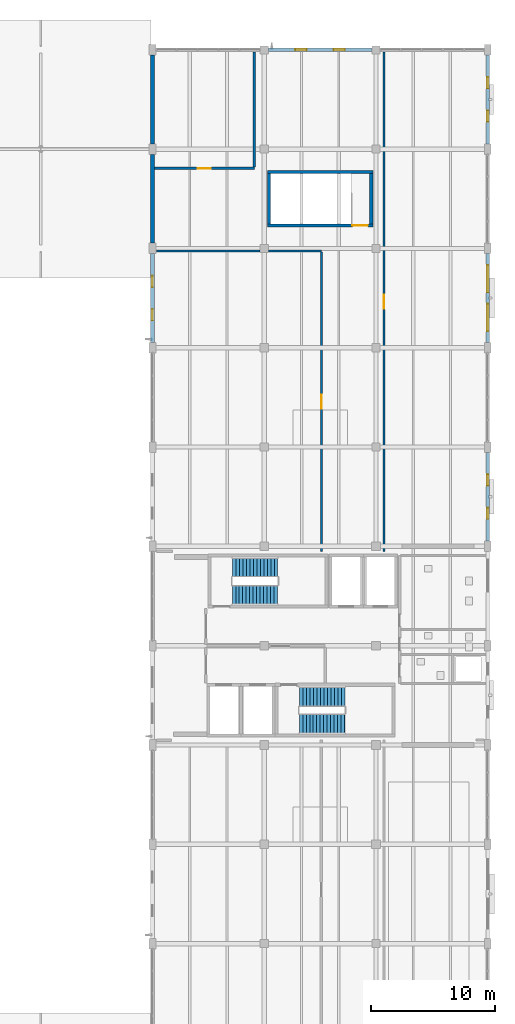
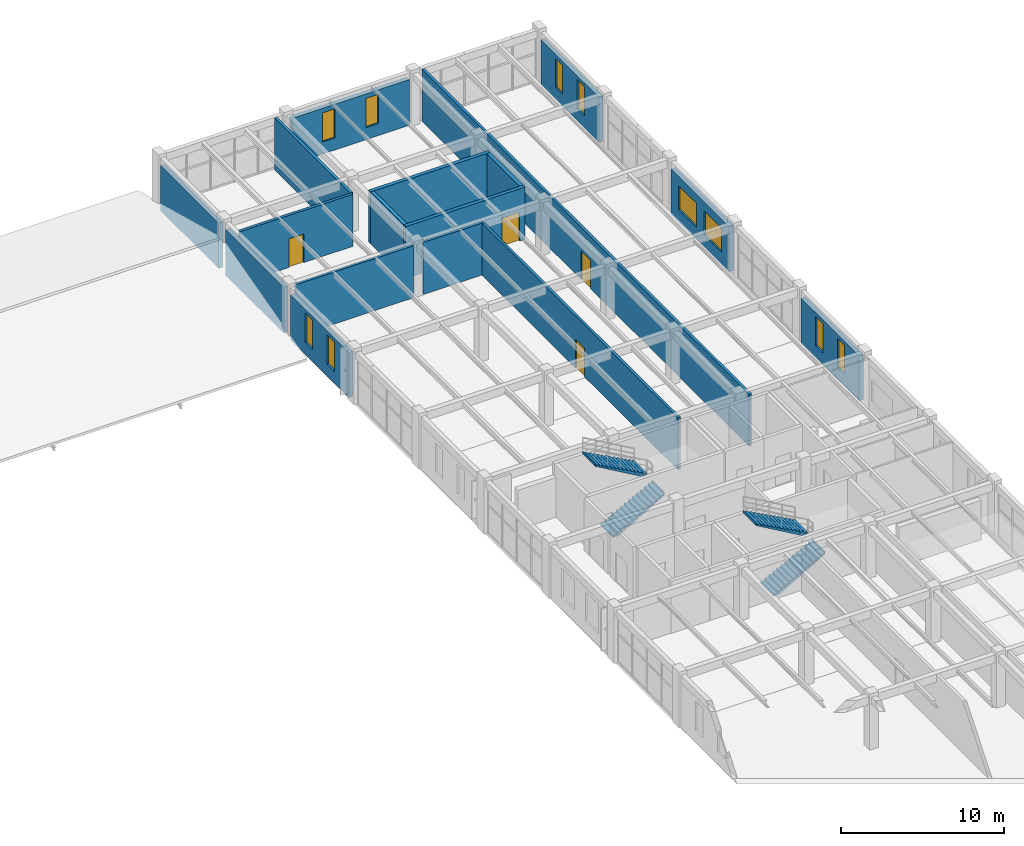
# One storey, part 60 of 71: 17 walls, 10 windows, 4 doors, 4 stair flights, 14 openings, 2 elements without a shape of their own.
"""IFC4 building model written with IfcOpenShell, lengths in metres."""

from ifc_helpers import new_model, si_unit, derived_unit, direction, frame, frame_2d, origin, place, context, subcontext, project, spatial, polyline, rectangle, outline, extrude, material, layer, layer_set, type_object, element, fill, aggregate, save


model = new_model("IFC4")

# Units and contexts
model_context = context("Model", 3, precision=1e-05, world=origin(), true_north=direction((0.0, 1.0)))
body_context = subcontext(model_context, "Body", "Model", "MODEL_VIEW")
ifc_project = project(units=[si_unit("LENGTHUNIT", "METRE"), si_unit("AREAUNIT", "SQUARE_METRE"), si_unit("VOLUMEUNIT", "CUBIC_METRE"), si_unit("PLANEANGLEUNIT", "RADIAN"), si_unit("MASSUNIT", "GRAM", prefix="KILO"), derived_unit("THERMALTRANSMITTANCEUNIT", [(si_unit("MASSUNIT", "GRAM", prefix="KILO"), 1), (si_unit("TIMEUNIT", "SECOND"), -3), (si_unit("THERMODYNAMICTEMPERATUREUNIT", "KELVIN"), -1)])], contexts=[model_context])

# Site, building, storey
site_placement = place(None, origin())
site = spatial("IfcSite", under=ifc_project, at=site_placement, CompositionType="ELEMENT")
building_placement = place(site_placement, origin())
building = spatial("IfcBuilding", under=site, at=building_placement, Name="Zhenchuan Archway Interchange", CompositionType="ELEMENT")
storey_placement = place(building_placement, frame((0.0, 0.0, 18.60009765625)))
storey = spatial("IfcBuildingStorey", under=building, at=storey_placement, Name="L04", CompositionType="ELEMENT", Elevation=18.60009765625)

# Wall, openings, windows
ifc_material_1 = material(Name="Terracotta Masonry", Category="masonry")
ifc_layer_1 = layer(ifc_material_1, 0.300048828125)
ifc_layer_set_1 = layer_set([ifc_layer_1], Name="Terracotta Masonry")
wall_type_1 = type_object("IfcWallType", Name="EW_TERRA_300", PredefinedType="STANDARD", material=ifc_layer_set_1)
wall_1_placement = place(storey_placement, frame((144.0, 80.423095703125, 0.0), z_axis=(0.0, 0.0, 1.0), x_axis=(0.0, 1.0, 0.0)))
wall_1 = element("IfcWall", 1, at=wall_1_placement, inside=storey, type_object=wall_type_1, Name="Exterior wall L04-013", PredefinedType="STANDARD", context=body_context, shape_type="SweptSolid", body=[
    extrude(rectangle(XDim=7.15380859375, YDim=0.300048828125, at=frame_2d((3.576904296875, 0.0))), origin(), (0.0, 0.0, 1.0), 3.389892578125),
])
opening_1_placement = place(wall_1_placement, frame((1.78466796875, 0.0, 0.89990234375)))
opening_1 = element("IfcOpeningElement", 2, at=opening_1_placement, cuts=wall_1, Name="Opening W-12", PredefinedType="OPENING", context=body_context, shape_type="SweptSolid", body=[
    extrude(rectangle(XDim=0.89990234375, YDim=2.199951171875, at=frame_2d((0.449951171875, 1.10009765625))), frame((0.0, 0.162109375, 0.0), z_axis=(0.0, -1.0, 0.0), x_axis=(1.0, 0.0, 0.0)), (0.0, 0.0, 1.0), 0.323974609375),
])
opening_2_placement = place(wall_1_placement, frame((4.46923828125, 0.0, 0.89990234375)))
opening_2 = element("IfcOpeningElement", 3, at=opening_2_placement, cuts=wall_1, Name="Opening W-12", PredefinedType="OPENING", context=body_context, shape_type="SweptSolid", body=[
    extrude(rectangle(XDim=0.89990234375, YDim=2.199951171875, at=frame_2d((0.449951171875, 1.10009765625))), frame((0.0, 0.162109375, 0.0), z_axis=(0.0, -1.0, 0.0), x_axis=(1.0, 0.0, 0.0)), (0.0, 0.0, 1.0), 0.323974609375),
])
ifc_material_2 = material(Name="Double Low-E Insulated Glazing", Category="glass")
window_type_1 = type_object("IfcWindowType", Name="WN_SLOT_900x2200", PartitioningType="SINGLE_PANEL", PredefinedType="WINDOW", material=ifc_material_2)
window_1_placement = place(opening_1_placement, origin())
window_1 = element("IfcWindow", 4, at=window_1_placement, inside=storey, type_object=window_type_1, Name="Window L04-0320", OverallHeight=2.199951171875, OverallWidth=0.89990234375, PartitioningType="SINGLE_PANEL", PredefinedType="WINDOW", context=body_context, shape_type="SweptSolid", body=[
    extrude(rectangle(XDim=0.89990234375, YDim=2.199951171875, at=frame_2d((0.449951171875, 1.10009765625))), frame((0.0, 0.030029296875, 0.0), z_axis=(0.0, -1.0, 0.0), x_axis=(1.0, 0.0, 0.0)), (0.0, 0.0, 1.0), 0.06005859375),
])
fill(opening_1, window_1)
window_2_placement = place(opening_2_placement, origin())
window_2 = element("IfcWindow", 5, at=window_2_placement, inside=storey, type_object=window_type_1, Name="Window L04-0321", OverallHeight=2.199951171875, OverallWidth=0.89990234375, PartitioningType="SINGLE_PANEL", PredefinedType="WINDOW", context=body_context, shape_type="SweptSolid", body=[
    extrude(rectangle(XDim=0.89990234375, YDim=2.199951171875, at=frame_2d((0.449951171875, 1.10009765625))), frame((0.0, 0.030029296875, 0.0), z_axis=(0.0, -1.0, 0.0), x_axis=(1.0, 0.0, 0.0)), (0.0, 0.0, 1.0), 0.06005859375),
])
fill(opening_2, window_2)

# Walls
wall_2_placement = place(storey_placement, frame((144.0, 88.423095703125, 0.0), z_axis=(0.0, 0.0, 1.0), x_axis=(0.0, 1.0, 0.0)))
element("IfcWall", 6, at=wall_2_placement, inside=storey, type_object=wall_type_1, Name="Exterior wall L04-014", PredefinedType="STANDARD", context=body_context, shape_type="SweptSolid", body=[
    extrude(rectangle(XDim=7.15380859375, YDim=0.300048828125, at=frame_2d((3.576904296875, 0.0))), origin(), (0.0, 0.0, 1.0), 3.43994140625),
])
wall_3_placement = place(storey_placement, frame((144.0, 96.423095703125, 0.0), z_axis=(0.0, 0.0, 1.0), x_axis=(0.0, 1.0, 0.0)))
element("IfcWall", 7, at=wall_3_placement, inside=storey, type_object=wall_type_1, Name="Exterior wall L04-015", PredefinedType="STANDARD", context=body_context, shape_type="SweptSolid", body=[
    extrude(rectangle(XDim=7.15380859375, YDim=0.300048828125, at=frame_2d((3.576904296875, 0.0))), origin(), (0.0, 0.0, 1.0), 3.389892578125),
])

# Wall, openings, windows
wall_4_placement = place(storey_placement, frame((153.322998046875, 104.0, 0.0), z_axis=(0.0, 0.0, 1.0), x_axis=(1.0, 0.0, 0.0)))
wall_4 = element("IfcWall", 8, at=wall_4_placement, inside=storey, type_object=wall_type_1, Name="Exterior wall L04-017", PredefinedType="STANDARD", context=body_context, shape_type="SweptSolid", body=[
    extrude(rectangle(XDim=8.35400390625, YDim=0.300048828125, at=frame_2d((4.177001953125, 0.0))), origin(), (0.0, 0.0, 1.0), 3.43994140625),
])
opening_3_placement = place(wall_4_placement, frame((2.184814453125, 0.0, 0.89990234375)))
opening_3 = element("IfcOpeningElement", 9, at=opening_3_placement, cuts=wall_4, Name="Opening W-12", PredefinedType="OPENING", context=body_context, shape_type="SweptSolid", body=[
    extrude(rectangle(XDim=0.89990234375, YDim=2.199951171875, at=frame_2d((0.449951171875, 1.10009765625))), frame((0.0, 0.162109375, 0.0), z_axis=(0.0, -1.0, 0.0), x_axis=(1.0, 0.0, 0.0)), (0.0, 0.0, 1.0), 0.323974609375),
])
opening_4_placement = place(wall_4_placement, frame((5.269287109375, 0.0, 0.89990234375)))
opening_4 = element("IfcOpeningElement", 10, at=opening_4_placement, cuts=wall_4, Name="Opening W-12", PredefinedType="OPENING", context=body_context, shape_type="SweptSolid", body=[
    extrude(rectangle(XDim=0.89990234375, YDim=2.199951171875, at=frame_2d((0.449951171875, 1.10009765625))), frame((0.0, 0.162109375, 0.0), z_axis=(0.0, -1.0, 0.0), x_axis=(1.0, 0.0, 0.0)), (0.0, 0.0, 1.0), 0.323974609375),
])
window_3_placement = place(opening_3_placement, origin())
window_3 = element("IfcWindow", 11, at=window_3_placement, inside=storey, type_object=window_type_1, Name="Window L04-0322", OverallHeight=2.199951171875, OverallWidth=0.89990234375, PartitioningType="SINGLE_PANEL", PredefinedType="WINDOW", context=body_context, shape_type="SweptSolid", body=[
    extrude(rectangle(XDim=0.89990234375, YDim=2.199951171875, at=frame_2d((0.449951171875, 1.10009765625))), frame((0.0, 0.030029296875, 0.0), z_axis=(0.0, -1.0, 0.0), x_axis=(1.0, 0.0, 0.0)), (0.0, 0.0, 1.0), 0.06005859375),
])
fill(opening_3, window_3)
window_4_placement = place(opening_4_placement, origin())
window_4 = element("IfcWindow", 12, at=window_4_placement, inside=storey, type_object=window_type_1, Name="Window L04-0323", OverallHeight=2.199951171875, OverallWidth=0.89990234375, PartitioningType="SINGLE_PANEL", PredefinedType="WINDOW", context=body_context, shape_type="SweptSolid", body=[
    extrude(rectangle(XDim=0.89990234375, YDim=2.199951171875, at=frame_2d((0.449951171875, 1.10009765625))), frame((0.0, 0.030029296875, 0.0), z_axis=(0.0, -1.0, 0.0), x_axis=(1.0, 0.0, 0.0)), (0.0, 0.0, 1.0), 0.06005859375),
])
fill(opening_4, window_4)

wall_5_placement = place(storey_placement, frame((171.0, 103.576904296875, 0.0), z_axis=(0.0, 0.0, 1.0), x_axis=(0.0, -1.0, 0.0)))
wall_5 = element("IfcWall", 13, at=wall_5_placement, inside=storey, type_object=wall_type_1, Name="Exterior wall L04-019", PredefinedType="STANDARD", context=body_context, shape_type="SweptSolid", body=[
    extrude(rectangle(XDim=7.15380859375, YDim=0.300048828125, at=frame_2d((3.576904296875, 0.0))), origin(), (0.0, 0.0, 1.0), 3.389892578125),
])
opening_5_placement = place(wall_5_placement, frame((1.78466796875, 0.0, 0.89990234375)))
opening_5 = element("IfcOpeningElement", 14, at=opening_5_placement, cuts=wall_5, Name="Opening W-12", PredefinedType="OPENING", context=body_context, shape_type="SweptSolid", body=[
    extrude(rectangle(XDim=0.89990234375, YDim=2.199951171875, at=frame_2d((0.449951171875, 1.10009765625))), frame((0.0, 0.162109375, 0.0), z_axis=(0.0, -1.0, 0.0), x_axis=(1.0, 0.0, 0.0)), (0.0, 0.0, 1.0), 0.323974609375),
])
opening_6_placement = place(wall_5_placement, frame((4.46923828125, 0.0, 0.89990234375)))
opening_6 = element("IfcOpeningElement", 15, at=opening_6_placement, cuts=wall_5, Name="Opening W-12", PredefinedType="OPENING", context=body_context, shape_type="SweptSolid", body=[
    extrude(rectangle(XDim=0.89990234375, YDim=2.199951171875, at=frame_2d((0.449951171875, 1.10009765625))), frame((0.0, 0.162109375, 0.0), z_axis=(0.0, -1.0, 0.0), x_axis=(1.0, 0.0, 0.0)), (0.0, 0.0, 1.0), 0.323974609375),
])
window_5_placement = place(opening_5_placement, origin())
window_5 = element("IfcWindow", 16, at=window_5_placement, inside=storey, type_object=window_type_1, Name="Window L04-0324", OverallHeight=2.199951171875, OverallWidth=0.89990234375, PartitioningType="SINGLE_PANEL", PredefinedType="WINDOW", context=body_context, shape_type="SweptSolid", body=[
    extrude(rectangle(XDim=0.89990234375, YDim=2.199951171875, at=frame_2d((0.449951171875, 1.10009765625))), frame((0.0, 0.030029296875, 0.0), z_axis=(0.0, -1.0, 0.0), x_axis=(1.0, 0.0, 0.0)), (0.0, 0.0, 1.0), 0.06005859375),
])
fill(opening_5, window_5)
window_6_placement = place(opening_6_placement, origin())
window_6 = element("IfcWindow", 17, at=window_6_placement, inside=storey, type_object=window_type_1, Name="Window L04-0325", OverallHeight=2.199951171875, OverallWidth=0.89990234375, PartitioningType="SINGLE_PANEL", PredefinedType="WINDOW", context=body_context, shape_type="SweptSolid", body=[
    extrude(rectangle(XDim=0.89990234375, YDim=2.199951171875, at=frame_2d((0.449951171875, 1.10009765625))), frame((0.0, 0.030029296875, 0.0), z_axis=(0.0, -1.0, 0.0), x_axis=(1.0, 0.0, 0.0)), (0.0, 0.0, 1.0), 0.06005859375),
])
fill(opening_6, window_6)

wall_6_placement = place(storey_placement, frame((171.0, 87.576904296875, 0.0), z_axis=(0.0, 0.0, 1.0), x_axis=(0.0, -1.0, 0.0)))
wall_6 = element("IfcWall", 18, at=wall_6_placement, inside=storey, type_object=wall_type_1, Name="Exterior wall L04-021", PredefinedType="STANDARD", context=body_context, shape_type="SweptSolid", body=[
    extrude(rectangle(XDim=7.15380859375, YDim=0.300048828125, at=frame_2d((3.576904296875, 0.0))), origin(), (0.0, 0.0, 1.0), 3.389892578125),
])
opening_7_placement = place(wall_6_placement, frame((0.91796875, 0.0, 0.89990234375)))
opening_7 = element("IfcOpeningElement", 19, at=opening_7_placement, cuts=wall_6, Name="Opening W-08", PredefinedType="OPENING", context=body_context, shape_type="SweptSolid", body=[
    extrude(rectangle(XDim=2.199951171875, YDim=1.800048828125, at=frame_2d((1.10009765625, 0.89990234375))), frame((0.0, 0.162109375, 0.0), z_axis=(0.0, -1.0, 0.0), x_axis=(1.0, 0.0, 0.0)), (0.0, 0.0, 1.0), 0.323974609375),
])
opening_8_placement = place(wall_6_placement, frame((4.035888671875, 0.0, 0.89990234375)))
opening_8 = element("IfcOpeningElement", 20, at=opening_8_placement, cuts=wall_6, Name="Opening W-08", PredefinedType="OPENING", context=body_context, shape_type="SweptSolid", body=[
    extrude(rectangle(XDim=2.199951171875, YDim=1.800048828125, at=frame_2d((1.10009765625, 0.89990234375))), frame((0.0, 0.162109375, 0.0), z_axis=(0.0, -1.0, 0.0), x_axis=(1.0, 0.0, 0.0)), (0.0, 0.0, 1.0), 0.323974609375),
])
window_type_2 = type_object("IfcWindowType", Name="WN_MOD_2200x1800", PartitioningType="SINGLE_PANEL", PredefinedType="WINDOW", material=ifc_material_2)
window_7_placement = place(opening_7_placement, origin())
window_7 = element("IfcWindow", 21, at=window_7_placement, inside=storey, type_object=window_type_2, Name="Window L04-0326", OverallHeight=1.800048828125, OverallWidth=2.199951171875, PartitioningType="SINGLE_PANEL", PredefinedType="WINDOW", context=body_context, shape_type="SweptSolid", body=[
    extrude(rectangle(XDim=2.199951171875, YDim=1.800048828125, at=frame_2d((1.10009765625, 0.89990234375))), frame((0.0, 0.030029296875, 0.0), z_axis=(0.0, -1.0, 0.0), x_axis=(1.0, 0.0, 0.0)), (0.0, 0.0, 1.0), 0.06005859375),
])
fill(opening_7, window_7)
window_8_placement = place(opening_8_placement, origin())
window_8 = element("IfcWindow", 22, at=window_8_placement, inside=storey, type_object=window_type_2, Name="Window L04-0327", OverallHeight=1.800048828125, OverallWidth=2.199951171875, PartitioningType="SINGLE_PANEL", PredefinedType="WINDOW", context=body_context, shape_type="SweptSolid", body=[
    extrude(rectangle(XDim=2.199951171875, YDim=1.800048828125, at=frame_2d((1.10009765625, 0.89990234375))), frame((0.0, 0.030029296875, 0.0), z_axis=(0.0, -1.0, 0.0), x_axis=(1.0, 0.0, 0.0)), (0.0, 0.0, 1.0), 0.06005859375),
])
fill(opening_8, window_8)

wall_7_placement = place(storey_placement, frame((171.0, 71.576904296875, 0.0), z_axis=(0.0, 0.0, 1.0), x_axis=(0.0, -1.0, 0.0)))
wall_7 = element("IfcWall", 23, at=wall_7_placement, inside=storey, type_object=wall_type_1, Name="Exterior wall L04-023", PredefinedType="STANDARD", context=body_context, shape_type="SweptSolid", body=[
    extrude(rectangle(XDim=7.15380859375, YDim=0.300048828125, at=frame_2d((3.576904296875, 0.0))), origin(), (0.0, 0.0, 1.0), 3.389892578125),
])
opening_9_placement = place(wall_7_placement, frame((1.78466796875, 0.0, 0.89990234375)))
opening_9 = element("IfcOpeningElement", 24, at=opening_9_placement, cuts=wall_7, Name="Opening W-12", PredefinedType="OPENING", context=body_context, shape_type="SweptSolid", body=[
    extrude(rectangle(XDim=0.89990234375, YDim=2.199951171875, at=frame_2d((0.449951171875, 1.10009765625))), frame((0.0, 0.162109375, 0.0), z_axis=(0.0, -1.0, 0.0), x_axis=(1.0, 0.0, 0.0)), (0.0, 0.0, 1.0), 0.323974609375),
])
opening_10_placement = place(wall_7_placement, frame((4.46923828125, 0.0, 0.89990234375)))
opening_10 = element("IfcOpeningElement", 25, at=opening_10_placement, cuts=wall_7, Name="Opening W-12", PredefinedType="OPENING", context=body_context, shape_type="SweptSolid", body=[
    extrude(rectangle(XDim=0.89990234375, YDim=2.199951171875, at=frame_2d((0.449951171875, 1.10009765625))), frame((0.0, 0.162109375, 0.0), z_axis=(0.0, -1.0, 0.0), x_axis=(1.0, 0.0, 0.0)), (0.0, 0.0, 1.0), 0.323974609375),
])
window_9_placement = place(opening_9_placement, origin())
window_9 = element("IfcWindow", 26, at=window_9_placement, inside=storey, type_object=window_type_1, Name="Window L04-0328", OverallHeight=2.199951171875, OverallWidth=0.89990234375, PartitioningType="SINGLE_PANEL", PredefinedType="WINDOW", context=body_context, shape_type="SweptSolid", body=[
    extrude(rectangle(XDim=0.89990234375, YDim=2.199951171875, at=frame_2d((0.449951171875, 1.10009765625))), frame((0.0, 0.030029296875, 0.0), z_axis=(0.0, -1.0, 0.0), x_axis=(1.0, 0.0, 0.0)), (0.0, 0.0, 1.0), 0.06005859375),
])
fill(opening_9, window_9)
window_10_placement = place(opening_10_placement, origin())
window_10 = element("IfcWindow", 27, at=window_10_placement, inside=storey, type_object=window_type_1, Name="Window L04-0329", OverallHeight=2.199951171875, OverallWidth=0.89990234375, PartitioningType="SINGLE_PANEL", PredefinedType="WINDOW", context=body_context, shape_type="SweptSolid", body=[
    extrude(rectangle(XDim=0.89990234375, YDim=2.199951171875, at=frame_2d((0.449951171875, 1.10009765625))), frame((0.0, 0.030029296875, 0.0), z_axis=(0.0, -1.0, 0.0), x_axis=(1.0, 0.0, 0.0)), (0.0, 0.0, 1.0), 0.06005859375),
])
fill(opening_10, window_10)

# Wall, opening, door
ifc_material_3 = material(Name="Autoclaved Aerated Concrete Block", Category="concrete")
ifc_layer_2 = layer(ifc_material_3, 0.199951171875)
ifc_layer_set_2 = layer_set([ifc_layer_2], Name="Autoclaved Aerated Concrete Block")
wall_type_2 = type_object("IfcWallType", Name="WL_FIRE_200", PredefinedType="STANDARD", material=ifc_layer_set_2)
wall_8_placement = place(storey_placement, frame((144.1650390625, 94.449951171875, 0.0), z_axis=(0.0, 0.0, 1.0), x_axis=(1.0, 0.0, 0.0)))
wall_8 = element("IfcWall", 28, at=wall_8_placement, inside=storey, type_object=wall_type_2, Name="Incident Telemetry Archive Room S partition (L04)", PredefinedType="STANDARD", context=body_context, shape_type="SweptSolid", body=[
    extrude(rectangle(XDim=8.034912109375, YDim=0.199951171875, at=frame_2d((4.017578125, 0.0))), origin(), (0.0, 0.0, 1.0), 3.909912109375),
])
opening_11_placement = place(wall_8_placement, frame((3.47509765625, 0.0, 0.0)))
opening_11 = element("IfcOpeningElement", 29, at=opening_11_placement, cuts=wall_8, Name="Opening FD-03", PredefinedType="OPENING", context=body_context, shape_type="SweptSolid", body=[
    extrude(rectangle(XDim=1.050048828125, YDim=2.14990234375, at=frame_2d((0.52490234375, 1.074951171875))), frame((0.0, 0.11181640625, 0.0), z_axis=(0.0, -1.0, 0.0), x_axis=(1.0, 0.0, 0.0)), (0.0, 0.0, 1.0), 0.223876953125),
])
ifc_material_4 = material(Name="Painted Galvanised Steel", Category="steel")
door_type_1 = type_object("IfcDoorType", Name="DR_PLANT_FD60_S", OperationType="NOTDEFINED", PredefinedType="DOOR", material=ifc_material_4)
door_1_placement = place(opening_11_placement, origin())
door_1 = element("IfcDoor", 30, at=door_1_placement, inside=storey, type_object=door_type_1, Name="Incident Telemetry Archive Room door (L04)", OperationType="SINGLE_SWING_LEFT", OverallHeight=2.14990234375, OverallWidth=1.050048828125, PredefinedType="DOOR", context=body_context, shape_type="SweptSolid", body=[
    extrude(rectangle(XDim=1.050048828125, YDim=2.14990234375, at=frame_2d((0.52490234375, 1.074951171875))), frame((0.0, 0.02490234375, 0.0), z_axis=(0.0, -1.0, 0.0), x_axis=(1.0, 0.0, 0.0)), (0.0, 0.0, 1.0), 0.050048828125),
])
fill(opening_11, door_1)

# Wall
wall_9_placement = place(storey_placement, frame((152.199951171875, 94.56005859375, 0.0), z_axis=(0.0, 0.0, 1.0), x_axis=(0.0, 1.0, 0.0)))
element("IfcWall", 31, at=wall_9_placement, inside=storey, type_object=wall_type_2, Name="Incident Telemetry Archive Room E partition (L04)", PredefinedType="STANDARD", context=body_context, shape_type="SweptSolid", body=[
    extrude(rectangle(XDim=9.27490234375, YDim=0.199951171875, at=frame_2d((4.637451171875, 0.0))), origin(), (0.0, 0.0, 1.0), 3.909912109375),
])

# Wall, opening, door
ifc_material_5 = material(Name="Concrete Block Masonry", Category="masonry")
ifc_layer_3 = layer(ifc_material_5, 0.179931640625)
ifc_layer_set_3 = layer_set([ifc_layer_3], Name="Concrete Block Masonry")
wall_type_3 = type_object("IfcWallType", Name="WL_PART_180", PredefinedType="STANDARD", material=ifc_layer_set_3)
wall_10_placement = place(storey_placement, frame((162.64990234375, 63.60009765625, 0.0), z_axis=(0.0, 0.0, 1.0), x_axis=(0.0, 1.0, 0.0)))
wall_10 = element("IfcWall", 32, at=wall_10_placement, inside=storey, type_object=wall_type_3, Name="Tunnel Ventilation and Environmental Control Room W partition (L04)", PredefinedType="STANDARD", context=body_context, shape_type="SweptSolid", body=[
    extrude(rectangle(XDim=40.23486328125, YDim=0.179931640625, at=frame_2d((20.117431640625, 0.0))), origin(), (0.0, 0.0, 1.0), 3.909912109375),
])
opening_12_placement = place(wall_10_placement, frame((19.52490234375, 0.0, 0.0)))
opening_12 = element("IfcOpeningElement", 33, at=opening_12_placement, cuts=wall_10, Name="Opening ID-06", PredefinedType="OPENING", context=body_context, shape_type="SweptSolid", body=[
    extrude(rectangle(XDim=1.14990234375, YDim=2.14990234375, at=frame_2d((0.574951171875, 1.074951171875))), frame((0.0, 0.10205078125, 0.0), z_axis=(0.0, -1.0, 0.0), x_axis=(1.0, 0.0, 0.0)), (0.0, 0.0, 1.0), 0.203857421875),
])
ifc_material_6 = material(Name="Hardwood Timber", Category="wood")
door_type_2 = type_object("IfcDoorType", Name="DR_CTRL_115", OperationType="NOTDEFINED", PredefinedType="DOOR", material=ifc_material_6)
door_2_placement = place(opening_12_placement, origin())
door_2 = element("IfcDoor", 34, at=door_2_placement, inside=storey, type_object=door_type_2, Name="Tunnel Ventilation and Environmental Control Room door (L04)", OperationType="SINGLE_SWING_LEFT", OverallHeight=2.14990234375, OverallWidth=1.14990234375, PredefinedType="DOOR", context=body_context, shape_type="SweptSolid", body=[
    extrude(rectangle(XDim=1.14990234375, YDim=2.14990234375, at=frame_2d((0.574951171875, 1.074951171875))), frame((0.0, 0.02490234375, 0.0), z_axis=(0.0, -1.0, 0.0), x_axis=(1.0, 0.0, 0.0)), (0.0, 0.0, 1.0), 0.050048828125),
])
fill(opening_12, door_2)

# Walls
wall_11_placement = place(storey_placement, frame((144.300048828125, 87.800048828125, 0.0), z_axis=(0.0, 0.0, 1.0), x_axis=(1.0, 0.0, 0.0)))
element("IfcWall", 35, at=wall_11_placement, inside=storey, type_object=wall_type_3, Name="Tetra Trunked Radio Dispatch Room N partition (L04)", PredefinedType="STANDARD", context=body_context, shape_type="SweptSolid", body=[
    extrude(rectangle(XDim=8.349853515625, YDim=0.179931640625, at=frame_2d((4.1748046875, 0.0))), origin(), (0.0, 0.0, 1.0), 3.909912109375),
])
wall_12_placement = place(storey_placement, frame((153.35009765625, 87.800048828125, 0.0), z_axis=(0.0, 0.0, 1.0), x_axis=(1.0, 0.0, 0.0)))
element("IfcWall", 36, at=wall_12_placement, inside=storey, type_object=wall_type_3, Name="Tetra Trunked Radio Dispatch Room N partition (L04)", PredefinedType="STANDARD", context=body_context, shape_type="SweptSolid", body=[
    extrude(rectangle(XDim=4.25, YDim=0.179931640625, at=frame_2d((2.125, 0.0))), origin(), (0.0, 0.0, 1.0), 3.909912109375),
])

# Wall, opening, door
wall_13_placement = place(storey_placement, frame((157.60009765625, 63.60009765625, 0.0), z_axis=(0.0, 0.0, 1.0), x_axis=(0.0, 1.0, 0.0)))
wall_13 = element("IfcWall", 37, at=wall_13_placement, inside=storey, type_object=wall_type_3, Name="Tetra Trunked Radio Dispatch Room E partition (L04)", PredefinedType="STANDARD", context=body_context, shape_type="SweptSolid", body=[
    extrude(rectangle(XDim=24.099853515625, YDim=0.179931640625, at=frame_2d((12.0498046875, 0.0))), origin(), (0.0, 0.0, 1.0), 3.909912109375),
])
opening_13_placement = place(wall_13_placement, frame((11.47509765625, 0.0, 0.0)))
opening_13 = element("IfcOpeningElement", 38, at=opening_13_placement, cuts=wall_13, Name="Opening ID-06", PredefinedType="OPENING", context=body_context, shape_type="SweptSolid", body=[
    extrude(rectangle(XDim=1.14990234375, YDim=2.14990234375, at=frame_2d((0.574951171875, 1.074951171875))), frame((0.0, 0.10205078125, 0.0), z_axis=(0.0, -1.0, 0.0), x_axis=(1.0, 0.0, 0.0)), (0.0, 0.0, 1.0), 0.203857421875),
])
door_3_placement = place(opening_13_placement, origin())
door_3 = element("IfcDoor", 39, at=door_3_placement, inside=storey, type_object=door_type_2, Name="Tetra Trunked Radio Dispatch Room door (L04)", OperationType="SINGLE_SWING_LEFT", OverallHeight=2.14990234375, OverallWidth=1.14990234375, PredefinedType="DOOR", context=body_context, shape_type="SweptSolid", body=[
    extrude(rectangle(XDim=1.14990234375, YDim=2.14990234375, at=frame_2d((0.574951171875, 1.074951171875))), frame((0.0, 0.02490234375, 0.0), z_axis=(0.0, -1.0, 0.0), x_axis=(1.0, 0.0, 0.0)), (0.0, 0.0, 1.0), 0.050048828125),
])
fill(opening_13, door_3)

ifc_material_7 = material(Name="Concrete C40", Category="concrete")
ifc_layer_4 = layer(ifc_material_7, 0.25)
ifc_layer_set_4 = layer_set([ifc_layer_4], Name="Concrete C40")
wall_type_4 = type_object("IfcWallType", Name="WL_STAIR_250", PredefinedType="SHEAR", material=ifc_layer_set_4)
wall_14_placement = place(storey_placement, frame((153.2548828125, 89.85009765625, 0.0), z_axis=(0.0, 0.0, 1.0), x_axis=(1.0, 0.0, 0.0)))
wall_14 = element("IfcWall", 40, at=wall_14_placement, inside=storey, type_object=wall_type_4, Name="Stair ST-O3 south wall (L04)", PredefinedType="SHEAR", context=body_context, shape_type="SweptSolid", body=[
    extrude(rectangle(XDim=8.490234375, YDim=0.25, at=frame_2d((4.2451171875, 0.0))), origin(), (0.0, 0.0, 1.0), 3.909912109375),
])
opening_14_placement = place(wall_14_placement, frame((6.844970703125, 0.0, 0.0)))
opening_14 = element("IfcOpeningElement", 41, at=opening_14_placement, cuts=wall_14, Name="Opening FD-01", PredefinedType="OPENING", context=body_context, shape_type="SweptSolid", body=[
    extrude(rectangle(XDim=1.25, YDim=2.14990234375, at=frame_2d((0.625, 1.074951171875))), frame((0.0, 0.136962890625, 0.0), z_axis=(0.0, -1.0, 0.0), x_axis=(1.0, 0.0, 0.0)), (0.0, 0.0, 1.0), 0.27392578125),
])
door_type_3 = type_object("IfcDoorType", Name="DR_STAIR_FD90", OperationType="NOTDEFINED", PredefinedType="DOOR", material=ifc_material_4)
door_4_placement = place(opening_14_placement, origin())
door_4 = element("IfcDoor", 42, at=door_4_placement, inside=storey, type_object=door_type_3, Name="Stair ST-O3 fire door (L04)", OperationType="SINGLE_SWING_LEFT", OverallHeight=2.14990234375, OverallWidth=1.25, PredefinedType="DOOR", context=body_context, shape_type="SweptSolid", body=[
    extrude(rectangle(XDim=1.25, YDim=2.14990234375, at=frame_2d((0.625, 1.074951171875))), frame((0.0, 0.02490234375, 0.0), z_axis=(0.0, -1.0, 0.0), x_axis=(1.0, 0.0, 0.0)), (0.0, 0.0, 1.0), 0.050048828125),
])
fill(opening_14, door_4)

# Walls
wall_15_placement = place(storey_placement, frame((161.7451171875, 94.14990234375, 0.0), z_axis=(0.0, 0.0, 1.0), x_axis=(-1.0, 0.0, 0.0)))
element("IfcWall", 43, at=wall_15_placement, inside=storey, type_object=wall_type_4, Name="Stair ST-O3 north wall (L04)", PredefinedType="SHEAR", context=body_context, shape_type="SweptSolid", body=[
    extrude(rectangle(XDim=8.490234375, YDim=0.25, at=frame_2d((4.2451171875, 0.0))), origin(), (0.0, 0.0, 1.0), 3.909912109375),
])
for number, where, z_axis, x_axis, name in (
    (44, (153.3798828125, 94.02490234375, 0.0), (0.0, 0.0, 1.0), (0.0, -1.0, 0.0), "Stair ST-O3 west wall (L04)"),
    (45, (161.6201171875, 89.97509765625, 0.0), (0.0, 0.0, 1.0), (0.0, 1.0, 0.0), "Stair ST-O3 east wall (L04)"),
):
    element("IfcWall", number, at=place(storey_placement, frame(where, z_axis=z_axis, x_axis=x_axis)), inside=storey, type_object=wall_type_4, Name=name, PredefinedType="SHEAR", context=body_context, shape_type="SweptSolid", body=[
        extrude(rectangle(XDim=4.0498046875, YDim=0.25, at=frame_2d((2.02490234375, 0.0))), origin(), (0.0, 0.0, 1.0), 3.909912109375),
    ])

# Stair, stair flights
ifc_material_8 = material(Name="Concrete C35", Category="concrete")
stair_type_1 = type_object("IfcStairType", Name="STR_HALF_1550", PredefinedType="HALF_TURN_STAIR", material=ifc_material_8)
stair_1_placement = place(storey_placement, origin())
stair_1 = element("IfcStair", 46, at=stair_1_placement, inside=storey, type_object=stair_type_1, Name="Stair ST-O1 (L04)", PredefinedType="HALF_TURN_STAIR")
stair_flight_type_1 = type_object("IfcStairFlightType", Name="SFL_1550", PredefinedType="STRAIGHT", material=ifc_material_8)
stair_flight_1_placement = place(storey_placement, frame((150.42431640625, 60.090087890625, 0.0), z_axis=(0.0, 0.0, 1.0), x_axis=(1.0, 0.0, 0.0)))
stair_flight_1 = element("IfcStairFlight", 47, at=stair_flight_1_placement, type_object=stair_flight_type_1, Name="Stair ST-O1 lower flight (L04)", NumberOfRisers=14, NumberOfTreads=13, PredefinedType="STRAIGHT", RiserHeight=0.15, TreadLength=0.28, context=body_context, shape_type="SweptSolid", body=[
    extrude(outline(polyline([(0.0, 0.0), (0.0, 0.14990234375), (0.280029296875, 0.14990234375), (0.280029296875, 0.300048828125), (0.56005859375, 0.300048828125), (0.56005859375, 0.449951171875), (0.840087890625, 0.449951171875), (0.840087890625, 0.60009765625), (1.1201171875, 0.60009765625), (1.1201171875, 0.75), (1.39990234375, 0.75), (1.39990234375, 0.89990234375), (1.679931640625, 0.89990234375), (1.679931640625, 1.050048828125), (1.9599609375, 1.050048828125), (1.9599609375, 1.199951171875), (2.239990234375, 1.199951171875), (2.239990234375, 1.35009765625), (2.52001953125, 1.35009765625), (2.52001953125, 1.5), (2.800048828125, 1.5), (2.800048828125, 1.64990234375), (3.080078125, 1.64990234375), (3.080078125, 1.800048828125), (3.360107421875, 1.800048828125), (3.360107421875, 1.949951171875), (3.639892578125, 1.949951171875), (3.639892578125, 2.10009765625), (3.6611328125, 2.10009765625), (3.6611328125, 1.89599609375), (0.381103515625, 0.0), (0.0, 0.0)])), frame((0.0, 0.77490234375, 0.0), z_axis=(0.0, -1.0, 0.0), x_axis=(1.0, 0.0, 0.0)), (0.0, 0.0, 1.0), 1.550048828125),
])
stair_flight_2_placement = place(storey_placement, frame((154.085693359375, 62.31005859375, 2.099853515625), z_axis=(0.0, 0.0, 1.0), x_axis=(-1.0, 0.0, 0.0)))
stair_flight_2 = element("IfcStairFlight", 48, at=stair_flight_2_placement, type_object=stair_flight_type_1, Name="Stair ST-O1 upper flight (L04)", NumberOfRisers=14, NumberOfTreads=13, PredefinedType="STRAIGHT", RiserHeight=0.15, TreadLength=0.28, context=body_context, shape_type="SweptSolid", body=[
    extrude(outline(polyline([(0.0, 0.0), (0.0, 0.14990234375), (0.280029296875, 0.14990234375), (0.280029296875, 0.300048828125), (0.56005859375, 0.300048828125), (0.56005859375, 0.449951171875), (0.840087890625, 0.449951171875), (0.840087890625, 0.60009765625), (1.1201171875, 0.60009765625), (1.1201171875, 0.75), (1.39990234375, 0.75), (1.39990234375, 0.89990234375), (1.679931640625, 0.89990234375), (1.679931640625, 1.050048828125), (1.9599609375, 1.050048828125), (1.9599609375, 1.199951171875), (2.239990234375, 1.199951171875), (2.239990234375, 1.35009765625), (2.52001953125, 1.35009765625), (2.52001953125, 1.5), (2.800048828125, 1.5), (2.800048828125, 1.64990234375), (3.080078125, 1.64990234375), (3.080078125, 1.800048828125), (3.360107421875, 1.800048828125), (3.360107421875, 1.949951171875), (3.639892578125, 1.949951171875), (3.639892578125, 2.10009765625), (3.6611328125, 2.10009765625), (3.6611328125, 1.89599609375), (0.381103515625, 0.0), (0.0, 0.0)])), frame((0.0, 0.77490234375, 0.0), z_axis=(0.0, -1.0, 0.0), x_axis=(1.0, 0.0, 0.0)), (0.0, 0.0, 1.0), 1.550048828125),
])
aggregate(stair_1, [stair_flight_1, stair_flight_2])

stair_type_2 = type_object("IfcStairType", Name="STR_HALF_1600", PredefinedType="HALF_TURN_STAIR", material=ifc_material_8)
stair_2_placement = place(storey_placement, origin())
stair_2 = element("IfcStair", 49, at=stair_2_placement, inside=storey, type_object=stair_type_2, Name="Stair ST-O2 (L04)", PredefinedType="HALF_TURN_STAIR")
stair_flight_type_2 = type_object("IfcStairFlightType", Name="SFL_1600", PredefinedType="STRAIGHT", material=ifc_material_8)
stair_flight_3_placement = place(storey_placement, frame((155.824462890625, 49.715087890625, 0.0), z_axis=(0.0, 0.0, 1.0), x_axis=(1.0, 0.0, 0.0)))
stair_flight_3 = element("IfcStairFlight", 50, at=stair_flight_3_placement, type_object=stair_flight_type_2, Name="Stair ST-O2 lower flight (L04)", NumberOfRisers=14, NumberOfTreads=13, PredefinedType="STRAIGHT", RiserHeight=0.15, TreadLength=0.28, context=body_context, shape_type="SweptSolid", body=[
    extrude(outline(polyline([(0.0, 0.0), (0.0, 0.14990234375), (0.280029296875, 0.14990234375), (0.280029296875, 0.300048828125), (0.56005859375, 0.300048828125), (0.56005859375, 0.449951171875), (0.840087890625, 0.449951171875), (0.840087890625, 0.60009765625), (1.1201171875, 0.60009765625), (1.1201171875, 0.75), (1.39990234375, 0.75), (1.39990234375, 0.89990234375), (1.679931640625, 0.89990234375), (1.679931640625, 1.050048828125), (1.9599609375, 1.050048828125), (1.9599609375, 1.199951171875), (2.239990234375, 1.199951171875), (2.239990234375, 1.35009765625), (2.52001953125, 1.35009765625), (2.52001953125, 1.5), (2.800048828125, 1.5), (2.800048828125, 1.64990234375), (3.080078125, 1.64990234375), (3.080078125, 1.800048828125), (3.360107421875, 1.800048828125), (3.360107421875, 1.949951171875), (3.639892578125, 1.949951171875), (3.639892578125, 2.10009765625), (3.6611328125, 2.10009765625), (3.6611328125, 1.89599609375), (0.381103515625, 0.0), (0.0, 0.0)])), frame((0.0, 0.800048828125, 0.0), z_axis=(0.0, -1.0, 0.0), x_axis=(1.0, 0.0, 0.0)), (0.0, 0.0, 1.0), 1.60009765625),
])
stair_flight_4_placement = place(storey_placement, frame((159.485595703125, 51.885009765625, 2.099853515625), z_axis=(0.0, 0.0, 1.0), x_axis=(-1.0, 0.0, 0.0)))
stair_flight_4 = element("IfcStairFlight", 51, at=stair_flight_4_placement, type_object=stair_flight_type_2, Name="Stair ST-O2 upper flight (L04)", NumberOfRisers=14, NumberOfTreads=13, PredefinedType="STRAIGHT", RiserHeight=0.15, TreadLength=0.28, context=body_context, shape_type="SweptSolid", body=[
    extrude(outline(polyline([(0.0, 0.0), (0.0, 0.14990234375), (0.280029296875, 0.14990234375), (0.280029296875, 0.300048828125), (0.56005859375, 0.300048828125), (0.56005859375, 0.449951171875), (0.840087890625, 0.449951171875), (0.840087890625, 0.60009765625), (1.1201171875, 0.60009765625), (1.1201171875, 0.75), (1.39990234375, 0.75), (1.39990234375, 0.89990234375), (1.679931640625, 0.89990234375), (1.679931640625, 1.050048828125), (1.9599609375, 1.050048828125), (1.9599609375, 1.199951171875), (2.239990234375, 1.199951171875), (2.239990234375, 1.35009765625), (2.52001953125, 1.35009765625), (2.52001953125, 1.5), (2.800048828125, 1.5), (2.800048828125, 1.64990234375), (3.080078125, 1.64990234375), (3.080078125, 1.800048828125), (3.360107421875, 1.800048828125), (3.360107421875, 1.949951171875), (3.639892578125, 1.949951171875), (3.639892578125, 2.10009765625), (3.6611328125, 2.10009765625), (3.6611328125, 1.89599609375), (0.381103515625, 0.0), (0.0, 0.0)])), frame((0.0, 0.800048828125, 0.0), z_axis=(0.0, -1.0, 0.0), x_axis=(1.0, 0.0, 0.0)), (0.0, 0.0, 1.0), 1.60009765625),
])
aggregate(stair_2, [stair_flight_3, stair_flight_4])

save(model, "model.ifc")
